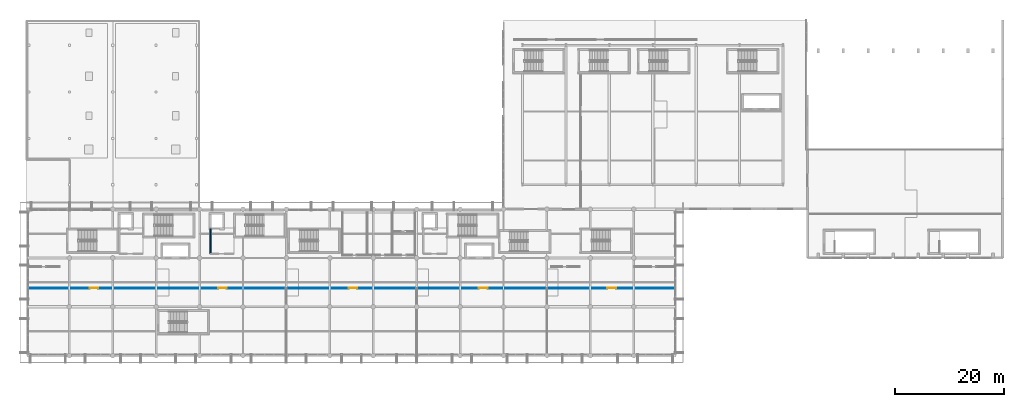
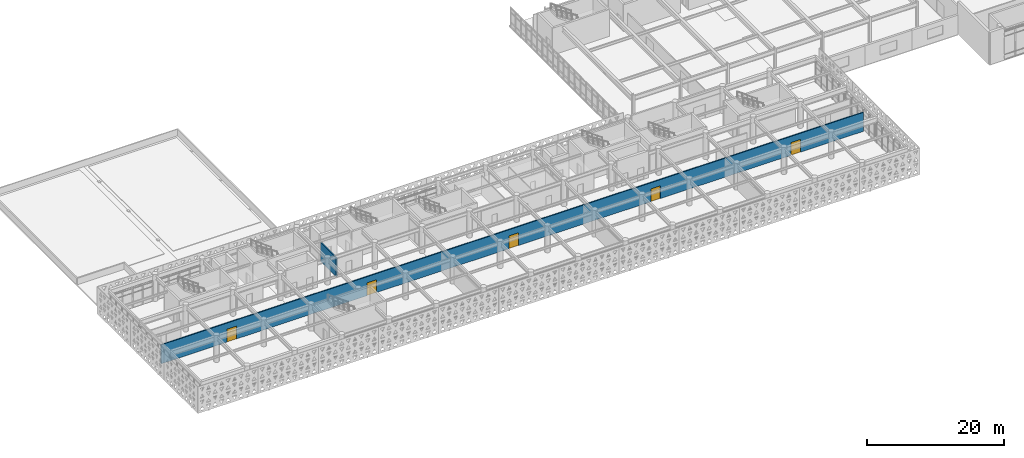
# One storey, part 36 of 54: 5 doors, 2 walls, 5 openings.
"""IFC4 building model written with IfcOpenShell, lengths in metres."""

from ifc_helpers import new_model, si_unit, direction, frame, frame_2d, origin, place, context, subcontext, project, spatial, rectangle, extrude, material, layer, layer_set, type_object, element, fill, save


model = new_model("IFC4")

# Units and contexts
model_context = context("Model", 3, precision=1e-05, world=origin(), true_north=direction((0.0, 1.0)))
body_context = subcontext(model_context, "Body", "Model", "MODEL_VIEW")
ifc_project = project(units=[si_unit("LENGTHUNIT", "METRE"), si_unit("AREAUNIT", "SQUARE_METRE"), si_unit("VOLUMEUNIT", "CUBIC_METRE"), si_unit("PLANEANGLEUNIT", "RADIAN"), si_unit("MASSUNIT", "GRAM", prefix="KILO")], contexts=[model_context])

# Site, building, storey
site_placement = place(None, origin())
site = spatial("IfcSite", under=ifc_project, at=site_placement, CompositionType="ELEMENT")
building_placement = place(site_placement, origin())
building = spatial("IfcBuilding", under=site, at=building_placement, Name="Tlacozan Convention Centre", CompositionType="ELEMENT")
storey_placement = place(building_placement, frame((0.0, 0.0, 11.39990234375)))
storey = spatial("IfcBuildingStorey", under=building, at=storey_placement, Name="L02", CompositionType="ELEMENT", Elevation=11.39990234375)

# Wall, openings, doors
ifc_material_1 = material(Name="Fire-Rated Gypsum Stud Partition Assembly")
ifc_layer_1 = layer(ifc_material_1, 0.179931640625)
ifc_layer_set_1 = layer_set([ifc_layer_1], Name="Fire-Rated Gypsum Stud Partition Assembly")
wall_type_1 = type_object("IfcWallType", Name="Corridor Rated Partition 180", PredefinedType="PARTITIONING", material=ifc_layer_set_1)
wall_1_placement = place(storey_placement, frame((0.60009765625, 12.449951171875, 0.0), z_axis=(0.0, 0.0, 1.0), x_axis=(1.0, 0.0, 0.0)))
wall_1 = element("IfcWall", 1, at=wall_1_placement, inside=storey, type_object=wall_type_1, Name="L02 Corridor Rated Partition 180 594", PredefinedType="PARTITIONING", context=body_context, shape_type="SweptSolid", body=[
    extrude(rectangle(XDim=118.7998046875, YDim=0.179931640625, at=frame_2d((59.39990234375, 0.0))), origin(), (0.0, 0.0, 1.0), 3.400146484375),
])
opening_1_placement = place(wall_1_placement, frame((11.14990234375, 0.0, 0.0)))
opening_1 = element("IfcOpeningElement", 2, at=opening_1_placement, cuts=wall_1, Name="Opening ID-07", PredefinedType="OPENING", context=body_context, shape_type="SweptSolid", body=[
    extrude(rectangle(XDim=1.60009765625, YDim=2.300048828125, at=frame_2d((0.800048828125, 1.14990234375))), frame((0.0, 0.099853515625, 0.0), z_axis=(0.0, -1.0, 0.0), x_axis=(1.0, 0.0, 0.0)), (0.0, 0.0, 1.0), 0.199951171875),
])
opening_2_placement = place(wall_1_placement, frame((34.85009765625, 0.0, 0.0)))
opening_2 = element("IfcOpeningElement", 3, at=opening_2_placement, cuts=wall_1, Name="Opening ID-07", PredefinedType="OPENING", context=body_context, shape_type="SweptSolid", body=[
    extrude(rectangle(XDim=1.60009765625, YDim=2.300048828125, at=frame_2d((0.800048828125, 1.14990234375))), frame((0.0, 0.099853515625, 0.0), z_axis=(0.0, -1.0, 0.0), x_axis=(1.0, 0.0, 0.0)), (0.0, 0.0, 1.0), 0.199951171875),
])
opening_3_placement = place(wall_1_placement, frame((58.85009765625, 0.0, 0.0)))
opening_3 = element("IfcOpeningElement", 4, at=opening_3_placement, cuts=wall_1, Name="Opening ID-07", PredefinedType="OPENING", context=body_context, shape_type="SweptSolid", body=[
    extrude(rectangle(XDim=1.60009765625, YDim=2.300048828125, at=frame_2d((0.800048828125, 1.14990234375))), frame((0.0, 0.099853515625, 0.0), z_axis=(0.0, -1.0, 0.0), x_axis=(1.0, 0.0, 0.0)), (0.0, 0.0, 1.0), 0.199951171875),
])
opening_4_placement = place(wall_1_placement, frame((82.85009765625, 0.0, 0.0)))
opening_4 = element("IfcOpeningElement", 5, at=opening_4_placement, cuts=wall_1, Name="Opening ID-07", PredefinedType="OPENING", context=body_context, shape_type="SweptSolid", body=[
    extrude(rectangle(XDim=1.60009765625, YDim=2.300048828125, at=frame_2d((0.800048828125, 1.14990234375))), frame((0.0, 0.099853515625, 0.0), z_axis=(0.0, -1.0, 0.0), x_axis=(1.0, 0.0, 0.0)), (0.0, 0.0, 1.0), 0.199951171875),
])
opening_5_placement = place(wall_1_placement, frame((106.550048828125, 0.0, 0.0)))
opening_5 = element("IfcOpeningElement", 6, at=opening_5_placement, cuts=wall_1, Name="Opening ID-07", PredefinedType="OPENING", context=body_context, shape_type="SweptSolid", body=[
    extrude(rectangle(XDim=1.60009765625, YDim=2.300048828125, at=frame_2d((0.800048828125, 1.14990234375))), frame((0.0, 0.099853515625, 0.0), z_axis=(0.0, -1.0, 0.0), x_axis=(1.0, 0.0, 0.0)), (0.0, 0.0, 1.0), 0.199951171875),
])
ifc_material_2 = material(Name="Acoustic Solid-Core Oak Veneer Door")
door_type = type_object("IfcDoorType", Name="Conference Double Door 1600x2300", OperationType="DOUBLE_DOOR_SINGLE_SWING", PredefinedType="DOOR", material=ifc_material_2)
door_1_placement = place(opening_1_placement, origin())
door_1 = element("IfcDoor", 7, at=door_1_placement, inside=storey, type_object=door_type, Name="L02 Conference Double Door 1600x2300 187", OperationType="DOUBLE_DOOR_SINGLE_SWING", OverallHeight=2.300048828125, OverallWidth=1.60009765625, PredefinedType="DOOR", context=body_context, shape_type="SweptSolid", body=[
    extrude(rectangle(XDim=1.60009765625, YDim=2.300048828125, at=frame_2d((0.800048828125, 1.14990234375))), frame((0.0, 0.02490234375, 0.0), z_axis=(0.0, -1.0, 0.0), x_axis=(1.0, 0.0, 0.0)), (0.0, 0.0, 1.0), 0.050048828125),
])
fill(opening_1, door_1)
door_2_placement = place(opening_2_placement, origin())
door_2 = element("IfcDoor", 8, at=door_2_placement, inside=storey, type_object=door_type, Name="L02 Conference Double Door 1600x2300 188", OperationType="DOUBLE_DOOR_SINGLE_SWING", OverallHeight=2.300048828125, OverallWidth=1.60009765625, PredefinedType="DOOR", context=body_context, shape_type="SweptSolid", body=[
    extrude(rectangle(XDim=1.60009765625, YDim=2.300048828125, at=frame_2d((0.800048828125, 1.14990234375))), frame((0.0, 0.02490234375, 0.0), z_axis=(0.0, -1.0, 0.0), x_axis=(1.0, 0.0, 0.0)), (0.0, 0.0, 1.0), 0.050048828125),
])
fill(opening_2, door_2)
door_3_placement = place(opening_3_placement, origin())
door_3 = element("IfcDoor", 9, at=door_3_placement, inside=storey, type_object=door_type, Name="L02 Conference Double Door 1600x2300 189", OperationType="DOUBLE_DOOR_SINGLE_SWING", OverallHeight=2.300048828125, OverallWidth=1.60009765625, PredefinedType="DOOR", context=body_context, shape_type="SweptSolid", body=[
    extrude(rectangle(XDim=1.60009765625, YDim=2.300048828125, at=frame_2d((0.800048828125, 1.14990234375))), frame((0.0, 0.02490234375, 0.0), z_axis=(0.0, -1.0, 0.0), x_axis=(1.0, 0.0, 0.0)), (0.0, 0.0, 1.0), 0.050048828125),
])
fill(opening_3, door_3)
door_4_placement = place(opening_4_placement, origin())
door_4 = element("IfcDoor", 10, at=door_4_placement, inside=storey, type_object=door_type, Name="L02 Conference Double Door 1600x2300 190", OperationType="DOUBLE_DOOR_SINGLE_SWING", OverallHeight=2.300048828125, OverallWidth=1.60009765625, PredefinedType="DOOR", context=body_context, shape_type="SweptSolid", body=[
    extrude(rectangle(XDim=1.60009765625, YDim=2.300048828125, at=frame_2d((0.800048828125, 1.14990234375))), frame((0.0, 0.02490234375, 0.0), z_axis=(0.0, -1.0, 0.0), x_axis=(1.0, 0.0, 0.0)), (0.0, 0.0, 1.0), 0.050048828125),
])
fill(opening_4, door_4)
door_5_placement = place(opening_5_placement, origin())
door_5 = element("IfcDoor", 11, at=door_5_placement, inside=storey, type_object=door_type, Name="L02 Conference Double Door 1600x2300 191", OperationType="DOUBLE_DOOR_SINGLE_SWING", OverallHeight=2.300048828125, OverallWidth=1.60009765625, PredefinedType="DOOR", context=body_context, shape_type="SweptSolid", body=[
    extrude(rectangle(XDim=1.60009765625, YDim=2.300048828125, at=frame_2d((0.800048828125, 1.14990234375))), frame((0.0, 0.02490234375, 0.0), z_axis=(0.0, -1.0, 0.0), x_axis=(1.0, 0.0, 0.0)), (0.0, 0.0, 1.0), 0.050048828125),
])
fill(opening_5, door_5)

# Wall
ifc_layer_2 = layer(ifc_material_1, 0.2099609375)
ifc_layer_set_2 = layer_set([ifc_layer_2], Name="Fire-Rated Gypsum Stud Partition Assembly")
wall_type_2 = type_object("IfcWallType", Name="Firefighting Lobby Rated Wall 210", PredefinedType="PARTITIONING", material=ifc_layer_set_2)
wall_2_placement = place(storey_placement, frame((34.0, 18.800048828125, 0.0), z_axis=(0.0, 0.0, 1.0), x_axis=(0.0, 1.0, 0.0)))
element("IfcWall", 12, at=wall_2_placement, inside=storey, type_object=wall_type_2, Name="L02 Firefighting Lobby Rated Wall 210 204", PredefinedType="PARTITIONING", context=body_context, shape_type="SweptSolid", body=[
    extrude(rectangle(XDim=4.599853515625, YDim=0.2099609375, at=frame_2d((2.2998046875, 0.0))), origin(), (0.0, 0.0, 1.0), 3.400146484375),
])

save(model, "model.ifc")
